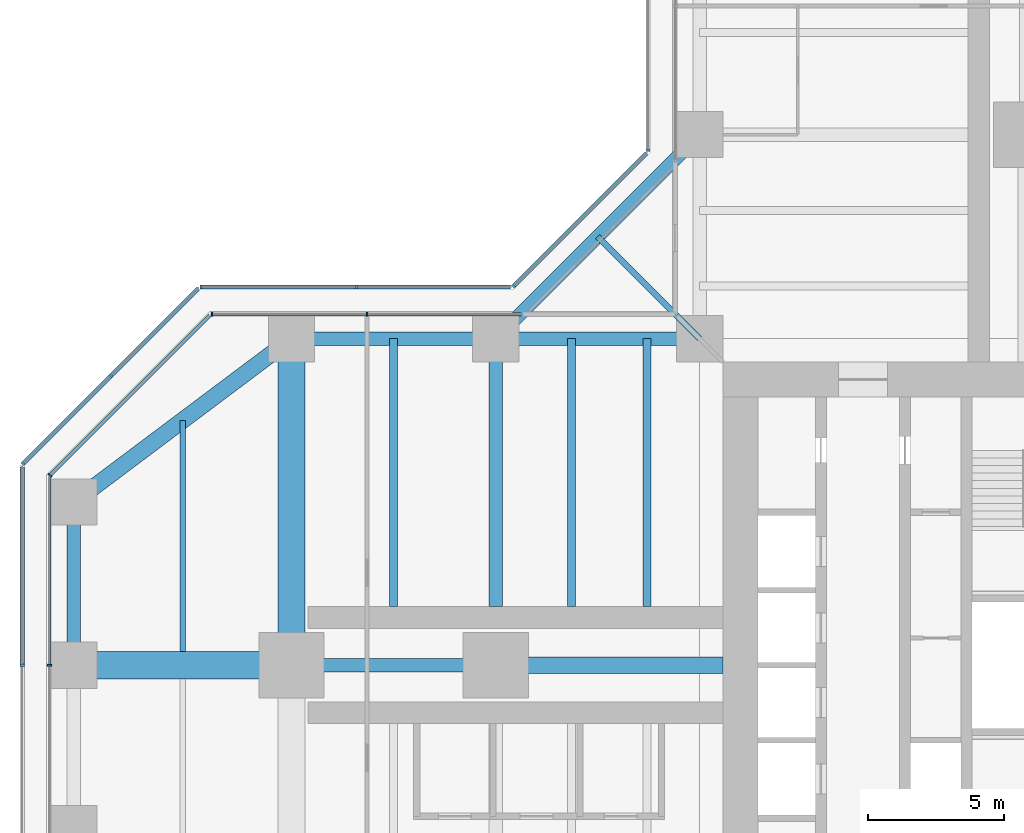
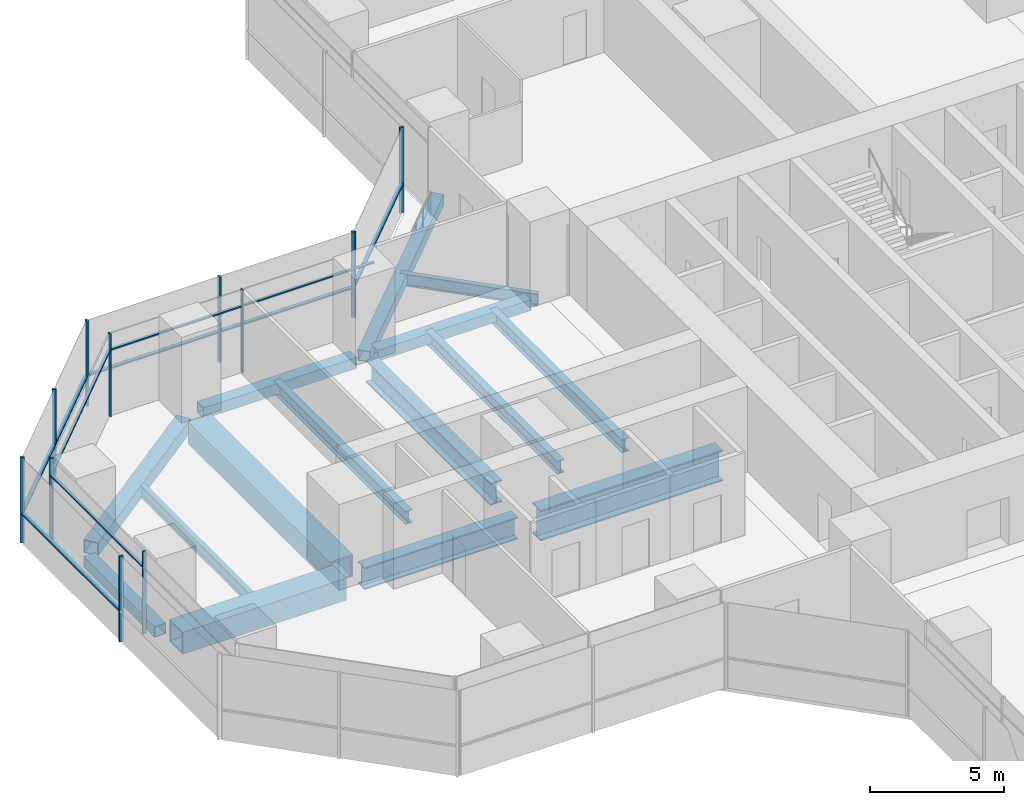
# One storey, part 8 of 22: 21 members, 15 beams, 8 elements without a shape of their own.
"""IFC4 building model written with IfcOpenShell, lengths in metres."""

from ifc_helpers import new_model, si_unit, direction, frame, origin, origin_2d, place, context, subcontext, project, spatial, rectangle, hollow_rectangle, i_section, extrude, material, material_profile, profile_set, type_object, element, aggregate, save


model = new_model("IFC4")

# Units and contexts
model_context = context("Model", 3, precision=1e-05, world=origin(), true_north=direction((0.0, 1.0)))
body_context = subcontext(model_context, "Body", "Model", "MODEL_VIEW")
ifc_project = project(units=[si_unit("LENGTHUNIT", "METRE"), si_unit("AREAUNIT", "SQUARE_METRE"), si_unit("VOLUMEUNIT", "CUBIC_METRE"), si_unit("PLANEANGLEUNIT", "RADIAN"), si_unit("MASSUNIT", "GRAM", prefix="KILO")], contexts=[model_context])

# Site, building, storey
site_placement = place(None, origin())
site = spatial("IfcSite", under=ifc_project, at=site_placement, CompositionType="ELEMENT")
building_placement = place(site_placement, origin())
building = spatial("IfcBuilding", under=site, at=building_placement, Name="Mizan Broadcast Tower", CompositionType="ELEMENT")
storey_placement = place(building_placement, frame((0.0, 0.0, 51.300048828125)))
storey = spatial("IfcBuildingStorey", under=building, at=storey_placement, Name="L09", CompositionType="ELEMENT", Elevation=51.300048828125)

# Beams
ifc_material_1 = material(Name="Steel S355", Category="steel")
ifc_material_profile_1 = material_profile(ifc_material_1, hollow_rectangle(XDim=0.5, YDim=0.5, WallThickness=0.030029296875, at=origin_2d()), Name="BOX 500x500x30")
ifc_profile_set_1 = profile_set([ifc_material_profile_1], Name="Steel S355")
beam_type_1 = type_object("IfcBeamType", Name="EDGE BEAM BOX 500x500x30", PredefinedType="SPANDREL", material=ifc_profile_set_1)
for number, where, z_axis, x_axis, name in (
    (1, (-12.449951171875, 12.0, -0.380126953125), (-1.0, 0.0, 0.0), (0.0, -1.0, 0.0), "Edge beam BOX 500x500x30 L09 west arm"),
    (2, (-19.949951171875, 12.0, -0.380126953125), (-1.0, 0.0, 0.0), (0.0, -1.0, 0.0), "Edge beam BOX 500x500x30 L09 west arm"),
):
    element("IfcBeam", number, at=place(storey_placement, frame(where, z_axis=z_axis, x_axis=x_axis)), inside=storey, type_object=beam_type_1, Name=name, PredefinedType="SPANDREL", context=body_context, shape_type="SweptSolid", body=[
        extrude(hollow_rectangle(XDim=0.5, YDim=0.5, WallThickness=0.030029296875, at=origin_2d()), origin(), (0.0, 0.0, 1.0), 6.60009765625),
    ])
beam_1_placement = place(storey_placement, frame((-35.0, 5.639892578125, -0.380126953125), z_axis=(0.0, -1.0, 0.0), x_axis=(1.0, 0.0, 0.0)))
element("IfcBeam", 3, at=beam_1_placement, inside=storey, type_object=beam_type_1, Name="Edge beam BOX 500x500x30 L09 west arm", PredefinedType="SPANDREL", context=body_context, shape_type="SweptSolid", body=[
    extrude(hollow_rectangle(XDim=0.5, YDim=0.5, WallThickness=0.030029296875, at=origin_2d()), origin(), (0.0, 0.0, 1.0), 5.27978515625),
])
beam_2_placement = place(storey_placement, frame((-12.0, 19.5, -0.380126953125), z_axis=(-0.707106781187, -0.707106781187, 0.0), x_axis=(0.707106781187, -0.707106781187, 0.0)))
element("IfcBeam", 4, at=beam_2_placement, inside=storey, type_object=beam_type_1, Name="Winter garden edge beam L09 N", PredefinedType="SPANDREL", context=body_context, shape_type="SweptSolid", body=[
    extrude(hollow_rectangle(XDim=0.5, YDim=0.5, WallThickness=0.030029296875, at=origin_2d()), origin(), (0.0, 0.0, 1.0), 10.606689453125),
])
ifc_material_2 = material(Name="Steel S355", Category="steel")
ifc_material_profile_2 = material_profile(ifc_material_2, hollow_rectangle(XDim=0.60009765625, YDim=0.60009765625, WallThickness=0.030029296875, at=origin_2d()), Name="BOX 600x600x30")
ifc_profile_set_2 = profile_set([ifc_material_profile_2], Name="Steel S355")
beam_type_2 = type_object("IfcBeamType", Name="EDGE BEAM BOX 600x600x30", PredefinedType="SPANDREL", material=ifc_profile_set_2)
beam_3_placement = place(storey_placement, frame((-27.47998046875, 11.639892578125, -0.429931640625), z_axis=(-0.800013316712, -0.599982243973, 0.0), x_axis=(0.599982243973, -0.800013316712, 0.0)))
element("IfcBeam", 5, at=beam_3_placement, inside=storey, type_object=beam_type_2, Name="Edge beam BOX 600x600x30 L09 west arm", PredefinedType="SPANDREL", context=body_context, shape_type="SweptSolid", body=[
    extrude(hollow_rectangle(XDim=0.60009765625, YDim=0.60009765625, WallThickness=0.030029296875, at=origin_2d()), origin(), (0.0, 0.0, 1.0), 8.7998046875),
])
ifc_material_3 = material(Name="Steel S460", Category="steel")
ifc_material_profile_3 = material_profile(ifc_material_3, hollow_rectangle(XDim=1.0, YDim=1.0, WallThickness=0.06005859375, at=origin_2d()), Name="BOX 1000x1000x60")
ifc_profile_set_3 = profile_set([ifc_material_profile_3], Name="Steel S460")
beam_type_3 = type_object("IfcBeamType", Name="GIRDER BOX 1000x1000x60", PredefinedType="BEAM", material=ifc_profile_set_3)
beam_4_placement = place(storey_placement, frame((-27.47998046875, 0.0, -0.630126953125), z_axis=(-1.0, 0.0, 0.0), x_axis=(0.0, -1.0, 0.0)))
element("IfcBeam", 6, at=beam_4_placement, inside=storey, type_object=beam_type_3, Name="Girder BOX 1000x1000x60 L09 west arm", PredefinedType="BEAM", context=body_context, shape_type="SweptSolid", body=[
    extrude(hollow_rectangle(XDim=1.0, YDim=1.0, WallThickness=0.06005859375, at=origin_2d()), origin(), (0.0, 0.0, 1.0), 7.0400390625),
])
ifc_material_4 = material(Name="Steel S460", Category="steel")
ifc_material_profile_4 = material_profile(ifc_material_4, hollow_rectangle(XDim=1.0, YDim=1.0, WallThickness=0.080078125, at=origin_2d()), Name="BOX 1000x1000x80")
ifc_profile_set_4 = profile_set([ifc_material_profile_4], Name="Steel S460")
beam_type_4 = type_object("IfcBeamType", Name="GIRDER BOX 1000x1000x80", PredefinedType="BEAM", material=ifc_profile_set_4)
beam_5_placement = place(storey_placement, frame((-27.0, 11.280029296875, -0.630126953125), z_axis=(0.0, -1.0, 0.0), x_axis=(1.0, 0.0, 0.0)))
element("IfcBeam", 7, at=beam_5_placement, inside=storey, type_object=beam_type_4, Name="Girder BOX 1000x1000x80 L09 west arm", PredefinedType="BEAM", context=body_context, shape_type="SweptSolid", body=[
    extrude(hollow_rectangle(XDim=1.0, YDim=1.0, WallThickness=0.080078125, at=origin_2d()), origin(), (0.0, 0.0, 1.0), 10.56005859375),
])
ifc_material_5 = material(Name="Steel S460", Category="steel")
ifc_material_profile_5 = material_profile(ifc_material_5, i_section(OverallWidth=0.5, OverallDepth=1.0, WebThickness=0.02490234375, FlangeThickness=0.050048828125, at=origin_2d()), Name="WPG 1000x500")
ifc_profile_set_5 = profile_set([ifc_material_profile_5], Name="Steel S460")
beam_type_5 = type_object("IfcBeamType", Name="GIRDER WPG 1000x500", PredefinedType="BEAM", material=ifc_profile_set_5)
beam_6_placement = place(storey_placement, frame((-19.949951171875, 0.0, -0.630126953125), z_axis=(-1.0, 0.0, 0.0), x_axis=(0.0, -1.0, 0.0)))
element("IfcBeam", 8, at=beam_6_placement, inside=storey, type_object=beam_type_5, Name="Girder WPG 1000x500 L09 west arm", PredefinedType="BEAM", context=body_context, shape_type="SweptSolid", body=[
    extrude(i_section(OverallWidth=0.5, OverallDepth=1.0, WebThickness=0.02490234375, FlangeThickness=0.050048828125, at=origin_2d()), origin(), (0.0, 0.0, 1.0), 6.60009765625),
])
beam_7_placement = place(storey_placement, frame((-19.5, 11.408935546875, -0.630126953125), z_axis=(0.0, -1.0, 0.0), x_axis=(1.0, 0.0, 0.0)))
element("IfcBeam", 9, at=beam_7_placement, inside=storey, type_object=beam_type_5, Name="Girder WPG 1000x500 L09 west arm", PredefinedType="BEAM", context=body_context, shape_type="SweptSolid", body=[
    extrude(i_section(OverallWidth=0.5, OverallDepth=1.0, WebThickness=0.02490234375, FlangeThickness=0.050048828125, at=origin_2d()), origin(), (0.0, 0.0, 1.0), 9.259033203125),
])
ifc_material_6 = material(Name="Steel S460", Category="steel")
ifc_material_profile_6 = material_profile(ifc_material_6, i_section(OverallWidth=0.60009765625, OverallDepth=1.39990234375, WebThickness=0.02490234375, FlangeThickness=0.06005859375, at=origin_2d()), Name="WPG 1400x600")
ifc_profile_set_6 = profile_set([ifc_material_profile_6], Name="Steel S460")
beam_type_6 = type_object("IfcBeamType", Name="GIRDER WPG 1400x600", PredefinedType="BEAM", material=ifc_profile_set_6)
beam_8_placement = place(storey_placement, frame((-11.14990234375, 0.0, -0.830078125), z_axis=(-1.0, 0.0, 0.0), x_axis=(0.0, -1.0, 0.0)))
element("IfcBeam", 10, at=beam_8_placement, inside=storey, type_object=beam_type_6, Name="Girder WPG 1400x600 L09 west arm", PredefinedType="BEAM", context=body_context, shape_type="SweptSolid", body=[
    extrude(i_section(OverallWidth=0.60009765625, OverallDepth=1.39990234375, WebThickness=0.02490234375, FlangeThickness=0.06005859375, at=origin_2d()), origin(), (0.0, 0.0, 1.0), 7.84912109375),
])

# Curtain wall, members
ifc_material_7 = material(Name="Aluminium framed glazing", Category="aluminium")
curtain_wall_type_1 = type_object("IfcCurtainWallType", Name="INNER SKIN LOW ZONE", PredefinedType="USERDEFINED", material=ifc_material_7)
curtain_wall_1_placement = place(storey_placement, origin())
curtain_wall_1 = element("IfcCurtainWall", 11, at=curtain_wall_1_placement, inside=storey, type_object=curtain_wall_type_1, Name="Inner skin low zone L09 W side", ObjectType="INNER SKIN LOW ZONE", PredefinedType="USERDEFINED")
ifc_material_8 = material(Name="Aluminium, pale anodised", Category="aluminium")
ifc_material_profile_7 = material_profile(ifc_material_8, rectangle(XDim=0.159912109375, YDim=0.06005859375, at=origin_2d()), Name="MULLION 160x60")
ifc_profile_set_7 = profile_set([ifc_material_profile_7], Name="Aluminium, pale anodised")
member_type_1 = type_object("IfcMemberType", Name="INNER SKIN MULLION 60x160", PredefinedType="MULLION", material=ifc_profile_set_7)
member_1_placement = place(storey_placement, frame((-24.229248046875, 12.89990234375, 0.0), z_axis=(0.0, 0.0, 1.0), x_axis=(0.0, -1.0, 0.0)))
member_1 = element("IfcMember", 12, at=member_1_placement, type_object=member_type_1, Name="Inner skin low zone L09 W side mullion 2", PredefinedType="MULLION", context=body_context, shape_type="SweptSolid", body=[
    extrude(rectangle(XDim=0.159912109375, YDim=0.06005859375, at=origin_2d()), origin(), (0.0, 0.0, 1.0), 3.77001953125),
])
member_2_placement = place(storey_placement, frame((-29.928466796875, 12.89990234375, 0.0), z_axis=(0.0, 0.0, 1.0), x_axis=(0.0, -1.0, 0.0)))
member_2 = element("IfcMember", 13, at=member_2_placement, type_object=member_type_1, Name="Inner skin low zone L09 W side mullion 3", PredefinedType="MULLION", context=body_context, shape_type="SweptSolid", body=[
    extrude(rectangle(XDim=0.159912109375, YDim=0.06005859375, at=origin_2d()), origin(), (0.0, 0.0, 1.0), 3.77001953125),
])

# Curtain wall, member
curtain_wall_2_placement = place(storey_placement, origin())
curtain_wall_2 = element("IfcCurtainWall", 14, at=curtain_wall_2_placement, inside=storey, type_object=curtain_wall_type_1, Name="Inner skin low zone L09 W chamfer", ObjectType="INNER SKIN LOW ZONE", PredefinedType="USERDEFINED")
member_3_placement = place(storey_placement, frame((-35.87890625, 6.979736328125, 0.0), z_axis=(0.0, 0.0, 1.0), x_axis=(0.707106781187, -0.707106781187, 0.0)))
member_3 = element("IfcMember", 15, at=member_3_placement, type_object=member_type_1, Name="Inner skin low zone L09 W chamfer mullion 2", PredefinedType="MULLION", context=body_context, shape_type="SweptSolid", body=[
    extrude(rectangle(XDim=0.159912109375, YDim=0.06005859375, at=origin_2d()), origin(), (0.0, 0.0, 1.0), 3.77001953125),
])

curtain_wall_3_placement = place(storey_placement, origin())
curtain_wall_3 = element("IfcCurtainWall", 16, at=curtain_wall_3_placement, inside=storey, type_object=curtain_wall_type_1, Name="Inner skin low zone L09 W end", ObjectType="INNER SKIN LOW ZONE", PredefinedType="USERDEFINED")
member_4_placement = place(storey_placement, frame((-35.89990234375, 0.0, 0.0), z_axis=(0.0, 0.0, 1.0), x_axis=(1.0, 0.0, 0.0)))
member_4 = element("IfcMember", 17, at=member_4_placement, type_object=member_type_1, Name="Inner skin low zone L09 W end mullion 2", PredefinedType="MULLION", context=body_context, shape_type="SweptSolid", body=[
    extrude(rectangle(XDim=0.159912109375, YDim=0.06005859375, at=origin_2d()), origin(), (0.0, 0.0, 1.0), 3.77001953125),
])

# Member
ifc_material_9 = material(Name="Aluminium, pale anodised", Category="aluminium")
ifc_material_profile_8 = material_profile(ifc_material_9, rectangle(XDim=0.1201171875, YDim=0.06005859375, at=origin_2d()), Name="TRANSOM 120x60")
ifc_profile_set_8 = profile_set([ifc_material_profile_8], Name="Aluminium, pale anodised")
member_type_2 = type_object("IfcMemberType", Name="INNER SKIN TRANSOM 60x120", PredefinedType="USERDEFINED", material=ifc_profile_set_8)
member_5_placement = place(storey_placement, frame((-18.56005859375, 12.89990234375, 3.030029296875), z_axis=(-1.0, 0.0, 0.0), x_axis=(0.0, -1.0, 0.0)))
member_5 = element("IfcMember", 18, at=member_5_placement, type_object=member_type_2, Name="Inner skin low zone L09 W side transom 1.1", ObjectType="TRANSOM", PredefinedType="USERDEFINED", context=body_context, shape_type="SweptSolid", body=[
    extrude(rectangle(XDim=0.1201171875, YDim=0.06005859375, at=origin_2d()), origin(), (0.0, 0.0, 1.0), 5.63916015625),
])

member_6_placement = place(storey_placement, frame((-24.25927734375, 12.89990234375, 3.030029296875), z_axis=(-1.0, 0.0, 0.0), x_axis=(0.0, -1.0, 0.0)))
member_6 = element("IfcMember", 19, at=member_6_placement, type_object=member_type_2, Name="Inner skin low zone L09 W side transom 2.1", ObjectType="TRANSOM", PredefinedType="USERDEFINED", context=body_context, shape_type="SweptSolid", body=[
    extrude(rectangle(XDim=0.1201171875, YDim=0.06005859375, at=origin_2d()), origin(), (0.0, 0.0, 1.0), 5.639404296875),
])

aggregate(curtain_wall_1, [member_1, member_2, member_5, member_6])

member_7_placement = place(storey_placement, frame((-30.0009765625, 12.857666015625, 3.030029296875), z_axis=(-0.707106781187, -0.707106781187, 0.0), x_axis=(0.707106781187, -0.707106781187, 0.0)))
member_7 = element("IfcMember", 20, at=member_7_placement, type_object=member_type_2, Name="Inner skin low zone L09 W chamfer transom 1.1", ObjectType="TRANSOM", PredefinedType="USERDEFINED", context=body_context, shape_type="SweptSolid", body=[
    extrude(rectangle(XDim=0.1201171875, YDim=0.06005859375, at=origin_2d()), origin(), (0.0, 0.0, 1.0), 8.28271484375),
])

aggregate(curtain_wall_2, [member_3, member_7])

member_8_placement = place(storey_placement, frame((-35.89990234375, 6.898681640625, 3.030029296875), z_axis=(0.0, -1.0, 0.0), x_axis=(1.0, 0.0, 0.0)))
member_8 = element("IfcMember", 21, at=member_8_placement, type_object=member_type_2, Name="Inner skin low zone L09 W end transom 1.1", ObjectType="TRANSOM", PredefinedType="USERDEFINED", context=body_context, shape_type="SweptSolid", body=[
    extrude(rectangle(XDim=0.1201171875, YDim=0.06005859375, at=origin_2d()), origin(), (0.0, 0.0, 1.0), 6.86865234375),
])

aggregate(curtain_wall_3, [member_4, member_8])

# Curtain wall, member
ifc_material_10 = material(Name="Aluminium framed glazing", Category="aluminium")
curtain_wall_type_2 = type_object("IfcCurtainWallType", Name="OUTER SKIN", PredefinedType="USERDEFINED", material=ifc_material_10)
curtain_wall_4_placement = place(storey_placement, origin())
curtain_wall_4 = element("IfcCurtainWall", 22, at=curtain_wall_4_placement, inside=storey, type_object=curtain_wall_type_2, Name="Outer skin L09 N side", ObjectType="OUTER SKIN", PredefinedType="USERDEFINED")
ifc_material_11 = material(Name="Aluminium, pale anodised", Category="aluminium")
ifc_material_profile_9 = material_profile(ifc_material_11, rectangle(XDim=0.159912109375, YDim=0.080078125, at=origin_2d()), Name="MULLION 160x80")
ifc_profile_set_9 = profile_set([ifc_material_profile_9], Name="Aluminium, pale anodised")
member_type_3 = type_object("IfcMemberType", Name="OUTER SKIN MULLION 80x160", PredefinedType="MULLION", material=ifc_profile_set_9)
member_9_placement = place(storey_placement, frame((-13.89990234375, 18.912841796875, 0.0), z_axis=(0.0, 0.0, 1.0), x_axis=(1.0, 0.0, 0.0)))
member_9 = element("IfcMember", 23, at=member_9_placement, type_object=member_type_3, Name="Outer skin L09 N side mullion 3", PredefinedType="MULLION", context=body_context, shape_type="SweptSolid", body=[
    extrude(rectangle(XDim=0.159912109375, YDim=0.080078125, at=origin_2d()), origin(), (0.0, 0.0, 1.0), 3.89990234375),
])
aggregate(curtain_wall_4, [member_9])

curtain_wall_5_placement = place(storey_placement, origin())
curtain_wall_5 = element("IfcCurtainWall", 24, at=curtain_wall_5_placement, inside=storey, type_object=curtain_wall_type_2, Name="Outer skin L09 W chamfer", ObjectType="OUTER SKIN", PredefinedType="USERDEFINED")
member_10_placement = place(storey_placement, frame((-18.844482421875, 13.92822265625, 0.0), z_axis=(0.0, 0.0, 1.0), x_axis=(0.707106781187, -0.707106781187, 0.0)))
member_10 = element("IfcMember", 25, at=member_10_placement, type_object=member_type_3, Name="Outer skin L09 W chamfer mullion 2", PredefinedType="MULLION", context=body_context, shape_type="SweptSolid", body=[
    extrude(rectangle(XDim=0.159912109375, YDim=0.080078125, at=origin_2d()), origin(), (0.0, 0.0, 1.0), 3.89990234375),
])

# Curtain wall, members
curtain_wall_6_placement = place(storey_placement, origin())
curtain_wall_6 = element("IfcCurtainWall", 26, at=curtain_wall_6_placement, inside=storey, type_object=curtain_wall_type_2, Name="Outer skin L09 W side", ObjectType="OUTER SKIN", PredefinedType="USERDEFINED")
member_11_placement = place(storey_placement, frame((-24.622802734375, 13.89990234375, 0.0), z_axis=(0.0, 0.0, 1.0), x_axis=(0.0, -1.0, 0.0)))
member_11 = element("IfcMember", 27, at=member_11_placement, type_object=member_type_3, Name="Outer skin L09 W side mullion 2", PredefinedType="MULLION", context=body_context, shape_type="SweptSolid", body=[
    extrude(rectangle(XDim=0.159912109375, YDim=0.080078125, at=origin_2d()), origin(), (0.0, 0.0, 1.0), 3.89990234375),
])
member_12_placement = place(storey_placement, frame((-30.332763671875, 13.89990234375, 0.0), z_axis=(0.0, 0.0, 1.0), x_axis=(0.0, -1.0, 0.0)))
member_12 = element("IfcMember", 28, at=member_12_placement, type_object=member_type_3, Name="Outer skin L09 W side mullion 3", PredefinedType="MULLION", context=body_context, shape_type="SweptSolid", body=[
    extrude(rectangle(XDim=0.159912109375, YDim=0.080078125, at=origin_2d()), origin(), (0.0, 0.0, 1.0), 3.89990234375),
])

curtain_wall_7_placement = place(storey_placement, origin())
curtain_wall_7 = element("IfcCurtainWall", 29, at=curtain_wall_7_placement, inside=storey, type_object=curtain_wall_type_2, Name="Outer skin L09 W chamfer", ObjectType="OUTER SKIN", PredefinedType="USERDEFINED")
member_13_placement = place(storey_placement, frame((-33.636474609375, 10.636474609375, 0.0), z_axis=(0.0, 0.0, 1.0), x_axis=(0.707106781187, -0.707106781187, 0.0)))
member_13 = element("IfcMember", 30, at=member_13_placement, type_object=member_type_3, Name="Outer skin L09 W chamfer mullion 2", PredefinedType="MULLION", context=body_context, shape_type="SweptSolid", body=[
    extrude(rectangle(XDim=0.159912109375, YDim=0.080078125, at=origin_2d()), origin(), (0.0, 0.0, 1.0), 3.89990234375),
])
member_14_placement = place(storey_placement, frame((-36.871826171875, 7.401123046875, 0.0), z_axis=(0.0, 0.0, 1.0), x_axis=(0.707106781187, -0.707106781187, 0.0)))
member_14 = element("IfcMember", 31, at=member_14_placement, type_object=member_type_3, Name="Outer skin L09 W chamfer mullion 3", PredefinedType="MULLION", context=body_context, shape_type="SweptSolid", body=[
    extrude(rectangle(XDim=0.159912109375, YDim=0.080078125, at=origin_2d()), origin(), (0.0, 0.0, 1.0), 3.89990234375),
])

# Curtain wall, member
curtain_wall_8_placement = place(storey_placement, origin())
curtain_wall_8 = element("IfcCurtainWall", 32, at=curtain_wall_8_placement, inside=storey, type_object=curtain_wall_type_2, Name="Outer skin L09 W end", ObjectType="OUTER SKIN", PredefinedType="USERDEFINED")
member_15_placement = place(storey_placement, frame((-36.89990234375, 0.0, 0.0), z_axis=(0.0, 0.0, 1.0), x_axis=(1.0, 0.0, 0.0)))
member_15 = element("IfcMember", 33, at=member_15_placement, type_object=member_type_3, Name="Outer skin L09 W end mullion 2", PredefinedType="MULLION", context=body_context, shape_type="SweptSolid", body=[
    extrude(rectangle(XDim=0.159912109375, YDim=0.080078125, at=origin_2d()), origin(), (0.0, 0.0, 1.0), 3.89990234375),
])

# Member
ifc_material_12 = material(Name="Aluminium, pale anodised", Category="aluminium")
ifc_material_profile_10 = material_profile(ifc_material_12, rectangle(XDim=0.159912109375, YDim=0.06005859375, at=origin_2d()), Name="TRANSOM 160x60")
ifc_profile_set_10 = profile_set([ifc_material_profile_10], Name="Aluminium, pale anodised")
member_type_4 = type_object("IfcMemberType", Name="OUTER SKIN TRANSOM 60x160", PredefinedType="USERDEFINED", material=ifc_profile_set_10)
member_16_placement = place(storey_placement, frame((-13.95654296875, 18.816162109375, 1.39990234375), z_axis=(-0.707106781187, -0.707106781187, 0.0), x_axis=(0.707106781187, -0.707106781187, 0.0)))
member_16 = element("IfcMember", 34, at=member_16_placement, type_object=member_type_4, Name="Outer skin L09 W chamfer transom 1.1", ObjectType="TRANSOM", PredefinedType="USERDEFINED", context=body_context, shape_type="SweptSolid", body=[
    extrude(rectangle(XDim=0.159912109375, YDim=0.06005859375, at=origin_2d()), origin(), (0.0, 0.0, 1.0), 6.87255859375),
])

aggregate(curtain_wall_5, [member_10, member_16])

member_17_placement = place(storey_placement, frame((-18.952880859375, 13.89990234375, 1.39990234375), z_axis=(-1.0, 0.0, 0.0), x_axis=(0.0, -1.0, 0.0)))
member_17 = element("IfcMember", 35, at=member_17_placement, type_object=member_type_4, Name="Outer skin L09 W side transom 1.1", ObjectType="TRANSOM", PredefinedType="USERDEFINED", context=body_context, shape_type="SweptSolid", body=[
    extrude(rectangle(XDim=0.159912109375, YDim=0.06005859375, at=origin_2d()), origin(), (0.0, 0.0, 1.0), 5.6298828125),
])

member_18_placement = place(storey_placement, frame((-24.662841796875, 13.89990234375, 1.39990234375), z_axis=(-1.0, 0.0, 0.0), x_axis=(0.0, -1.0, 0.0)))
member_18 = element("IfcMember", 36, at=member_18_placement, type_object=member_type_4, Name="Outer skin L09 W side transom 2.1", ObjectType="TRANSOM", PredefinedType="USERDEFINED", context=body_context, shape_type="SweptSolid", body=[
    extrude(rectangle(XDim=0.159912109375, YDim=0.06005859375, at=origin_2d()), origin(), (0.0, 0.0, 1.0), 5.6298828125),
])

aggregate(curtain_wall_6, [member_11, member_12, member_17, member_18])

member_19_placement = place(storey_placement, frame((-30.429443359375, 13.843505859375, 1.39990234375), z_axis=(-0.707106781187, -0.707106781187, 0.0), x_axis=(0.707106781187, -0.707106781187, 0.0)))
member_19 = element("IfcMember", 37, at=member_19_placement, type_object=member_type_4, Name="Outer skin L09 W chamfer transom 1.1", ObjectType="TRANSOM", PredefinedType="USERDEFINED", context=body_context, shape_type="SweptSolid", body=[
    extrude(rectangle(XDim=0.159912109375, YDim=0.06005859375, at=origin_2d()), origin(), (0.0, 0.0, 1.0), 4.495361328125),
])

member_20_placement = place(storey_placement, frame((-33.664794921875, 10.608154296875, 1.39990234375), z_axis=(-0.707106781187, -0.707106781187, 0.0), x_axis=(0.707106781187, -0.707106781187, 0.0)))
member_20 = element("IfcMember", 38, at=member_20_placement, type_object=member_type_4, Name="Outer skin L09 W chamfer transom 2.1", ObjectType="TRANSOM", PredefinedType="USERDEFINED", context=body_context, shape_type="SweptSolid", body=[
    extrude(rectangle(XDim=0.159912109375, YDim=0.06005859375, at=origin_2d()), origin(), (0.0, 0.0, 1.0), 4.495361328125),
])

aggregate(curtain_wall_7, [member_13, member_14, member_19, member_20])

member_21_placement = place(storey_placement, frame((-36.89990234375, 7.292724609375, 1.39990234375), z_axis=(0.0, -1.0, 0.0), x_axis=(1.0, 0.0, 0.0)))
member_21 = element("IfcMember", 39, at=member_21_placement, type_object=member_type_4, Name="Outer skin L09 W end transom 1.1", ObjectType="TRANSOM", PredefinedType="USERDEFINED", context=body_context, shape_type="SweptSolid", body=[
    extrude(rectangle(XDim=0.159912109375, YDim=0.06005859375, at=origin_2d()), origin(), (0.0, 0.0, 1.0), 7.252685546875),
])

aggregate(curtain_wall_8, [member_15, member_21])

# Beams
ifc_material_13 = material(Name="Steel S355", Category="steel")
ifc_material_profile_11 = material_profile(ifc_material_13, i_section(OverallWidth=0.300048828125, OverallDepth=0.590087890625, WebThickness=0.012939453125, FlangeThickness=0.02490234375, FilletRadius=0.027099609375, at=origin_2d()), Name="HEA 600")
ifc_profile_set_11 = profile_set([ifc_material_profile_11], Name="Steel S355")
beam_type_7 = type_object("IfcBeamType", Name="SECONDARY BEAM HEA 600", PredefinedType="JOIST", material=ifc_profile_set_11)
for number, where, z_axis, x_axis, name in (
    (40, (-13.933349609375, 12.0, -0.425048828125), (0.0, -1.0, 0.0), (1.0, 0.0, 0.0), "Secondary beam HEA 600 L09 west arm"),
    (41, (-16.716552734375, 12.0, -0.425048828125), (0.0, -1.0, 0.0), (1.0, 0.0, 0.0), "Secondary beam HEA 600 L09 west arm"),
    (42, (-23.25, 12.0, -0.425048828125), (0.0, -1.0, 0.0), (1.0, 0.0, 0.0), "Secondary beam HEA 600 L09 west arm"),
):
    element("IfcBeam", number, at=place(storey_placement, frame(where, z_axis=z_axis, x_axis=x_axis)), inside=storey, type_object=beam_type_7, Name=name, PredefinedType="JOIST", context=body_context, shape_type="SweptSolid", body=[
        extrude(i_section(OverallWidth=0.300048828125, OverallDepth=0.590087890625, WebThickness=0.012939453125, FlangeThickness=0.02490234375, FilletRadius=0.027099609375, at=origin_2d()), origin(), (0.0, 0.0, 1.0), 9.85009765625),
    ])
ifc_material_14 = material(Name="Steel S355", Category="steel")
ifc_material_profile_12 = material_profile(ifc_material_14, i_section(OverallWidth=0.2099609375, OverallDepth=0.550048828125, WebThickness=0.010986328125, FlangeThickness=0.01708984375, FilletRadius=0.02392578125, at=origin_2d()), Name="IPE 550")
ifc_profile_set_12 = profile_set([ifc_material_profile_12], Name="Steel S355")
beam_type_8 = type_object("IfcBeamType", Name="SECONDARY BEAM IPE 550", PredefinedType="JOIST", material=ifc_profile_set_12)
beam_9_placement = place(storey_placement, frame((-31.0, 9.0, -0.405029296875), z_axis=(0.0, -1.0, 0.0), x_axis=(1.0, 0.0, 0.0)))
element("IfcBeam", 43, at=beam_9_placement, inside=storey, type_object=beam_type_8, Name="Secondary beam IPE 550 L09 west arm", PredefinedType="JOIST", context=body_context, shape_type="SweptSolid", body=[
    extrude(i_section(OverallWidth=0.2099609375, OverallDepth=0.550048828125, WebThickness=0.010986328125, FlangeThickness=0.01708984375, FilletRadius=0.02392578125, at=origin_2d()), origin(), (0.0, 0.0, 1.0), 8.5),
])
beam_10_placement = place(storey_placement, frame((-12.0, 12.0, -0.405029296875), z_axis=(-0.707106781187, 0.707106781187, 0.0), x_axis=(-0.707106781187, -0.707106781187, 0.0)))
element("IfcBeam", 44, at=beam_10_placement, inside=storey, type_object=beam_type_8, Name="Winter garden beam L09 N", PredefinedType="JOIST", context=body_context, shape_type="SweptSolid", body=[
    extrude(i_section(OverallWidth=0.2099609375, OverallDepth=0.550048828125, WebThickness=0.010986328125, FlangeThickness=0.01708984375, FilletRadius=0.02392578125, at=origin_2d()), origin(), (0.0, 0.0, 1.0), 5.30322265625),
])

save(model, "model.ifc")
